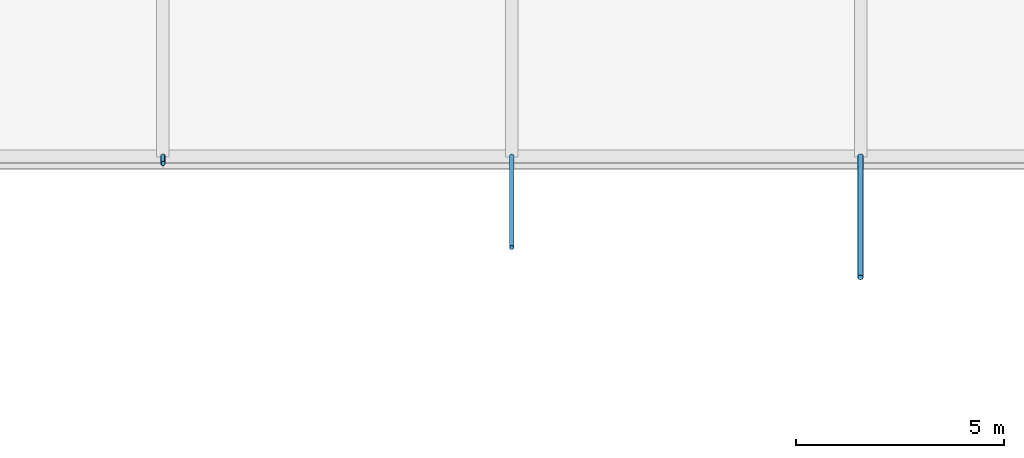
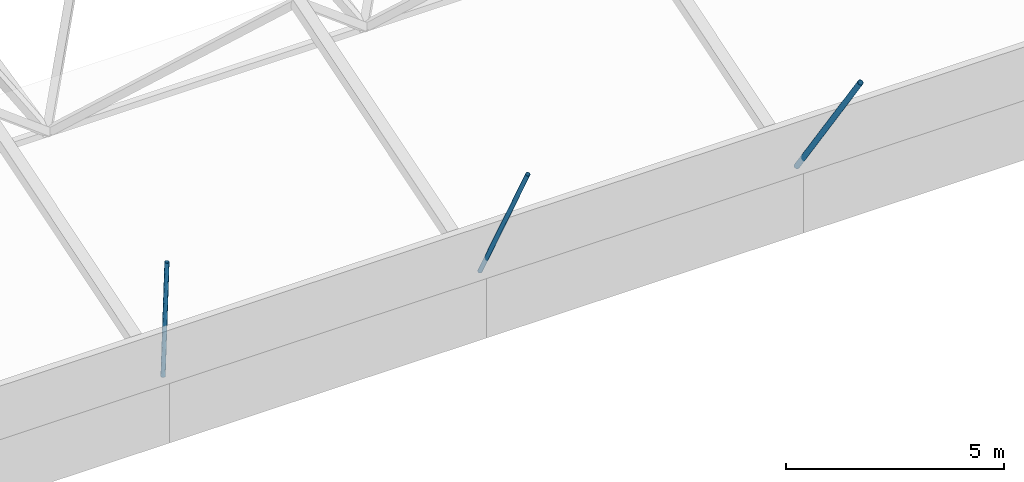
# One storey, part 47 of 85: 3 discrete accessories.
"""IFC4 building model written with IfcOpenShell, lengths in metres."""

from ifc_helpers import new_model, si_unit, direction, frame, origin, origin_2d, place, context, subcontext, project, spatial, hollow_circle, extrude, material, material_profile, profile_set, type_object, element, save


model = new_model("IFC4")

# Units and contexts
model_context = context("Model", 3, precision=1e-05, world=origin(), true_north=direction((0.0, 1.0)))
body_context = subcontext(model_context, "Body", "Model", "MODEL_VIEW")
ifc_project = project(units=[si_unit("LENGTHUNIT", "METRE"), si_unit("AREAUNIT", "SQUARE_METRE"), si_unit("VOLUMEUNIT", "CUBIC_METRE"), si_unit("PLANEANGLEUNIT", "RADIAN"), si_unit("MASSUNIT", "GRAM", prefix="KILO")], contexts=[model_context])

# Site, building, storey
site_placement = place(None, origin())
site = spatial("IfcSite", under=ifc_project, at=site_placement, CompositionType="ELEMENT")
building_placement = place(site_placement, origin())
building = spatial("IfcBuilding", under=site, at=building_placement, Name="Rain Tree Exposition and Congress Centre", CompositionType="ELEMENT")
storey_placement = place(building_placement, frame((0.0, 0.0, 15.0)))
storey = spatial("IfcBuildingStorey", under=building, at=storey_placement, Name="L03", CompositionType="ELEMENT", Elevation=15.0)

# Discrete accessories
ifc_material_1 = material(Name="Steel S355J2H", Category="steel")
ifc_material_profile_1 = material_profile(ifc_material_1, hollow_circle(Radius=0.05712890625, WallThickness=0.00439453125, at=origin_2d()), Name="CHS 114x4.5")
ifc_profile_set_1 = profile_set([ifc_material_profile_1], Name="Steel S355J2H")
discrete_accessory_type_1 = type_object("IfcDiscreteAccessoryType", Name="Roof skin post CHS 114x4.5", PredefinedType="BRACKET", material=ifc_profile_set_1)
discrete_accessory_1_placement = place(storey_placement, frame((100.800048828125, 100.800048828125, 3.0), z_axis=(0.0, -0.053862077128, 0.99854838473), x_axis=(1.0, 0.0, 0.0)))
element("IfcDiscreteAccessory", 1, at=discrete_accessory_1_placement, inside=storey, type_object=discrete_accessory_type_1, Name="Roof skin post A12", PredefinedType="BRACKET", context=body_context, shape_type="SweptSolid", body=[
    extrude(hollow_circle(Radius=0.05712890625, WallThickness=0.00439453125, at=origin_2d()), origin(), (0.0, 0.0, 1.0), 3.3134765625),
])
discrete_accessory_2_placement = place(storey_placement, frame((109.199951171875, 100.800048828125, 3.0), z_axis=(0.0, -0.477600468643, 0.878577140809), x_axis=(1.0, 0.0, 0.0)))
element("IfcDiscreteAccessory", 2, at=discrete_accessory_2_placement, inside=storey, type_object=discrete_accessory_type_1, Name="Roof skin post A13", PredefinedType="BRACKET", context=body_context, shape_type="SweptSolid", body=[
    extrude(hollow_circle(Radius=0.05712890625, WallThickness=0.00439453125, at=origin_2d()), origin(), (0.0, 0.0, 1.0), 4.607177734375),
])
ifc_material_2 = material(Name="Steel S355J2H", Category="steel")
ifc_material_profile_2 = material_profile(ifc_material_2, hollow_circle(Radius=0.06982421875, WallThickness=0.0048828125, at=origin_2d()), Name="CHS 140x5")
ifc_profile_set_2 = profile_set([ifc_material_profile_2], Name="Steel S355J2H")
discrete_accessory_type_2 = type_object("IfcDiscreteAccessoryType", Name="Roof skin post CHS 140x5", PredefinedType="BRACKET", material=ifc_profile_set_2)
discrete_accessory_3_placement = place(storey_placement, frame((117.60009765625, 100.800048828125, 3.0), z_axis=(0.0, -0.578674404419, 0.815558663537), x_axis=(1.0, 0.0, 0.0)))
element("IfcDiscreteAccessory", 3, at=discrete_accessory_3_placement, inside=storey, type_object=discrete_accessory_type_2, Name="Roof skin post A14", PredefinedType="BRACKET", context=body_context, shape_type="SweptSolid", body=[
    extrude(hollow_circle(Radius=0.06982421875, WallThickness=0.0048828125, at=origin_2d()), origin(), (0.0, 0.0, 1.0), 5.050048828125),
])

save(model, "model.ifc")
